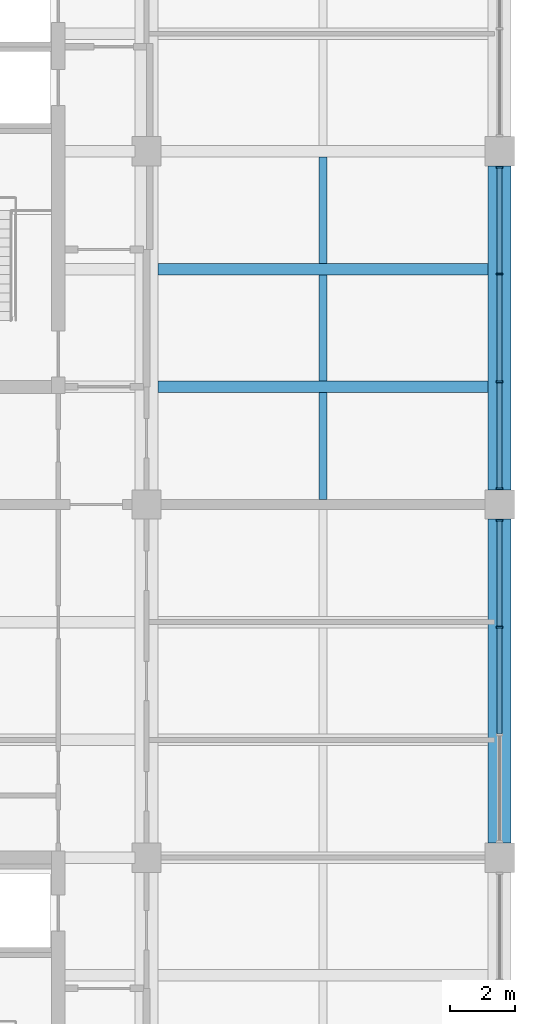
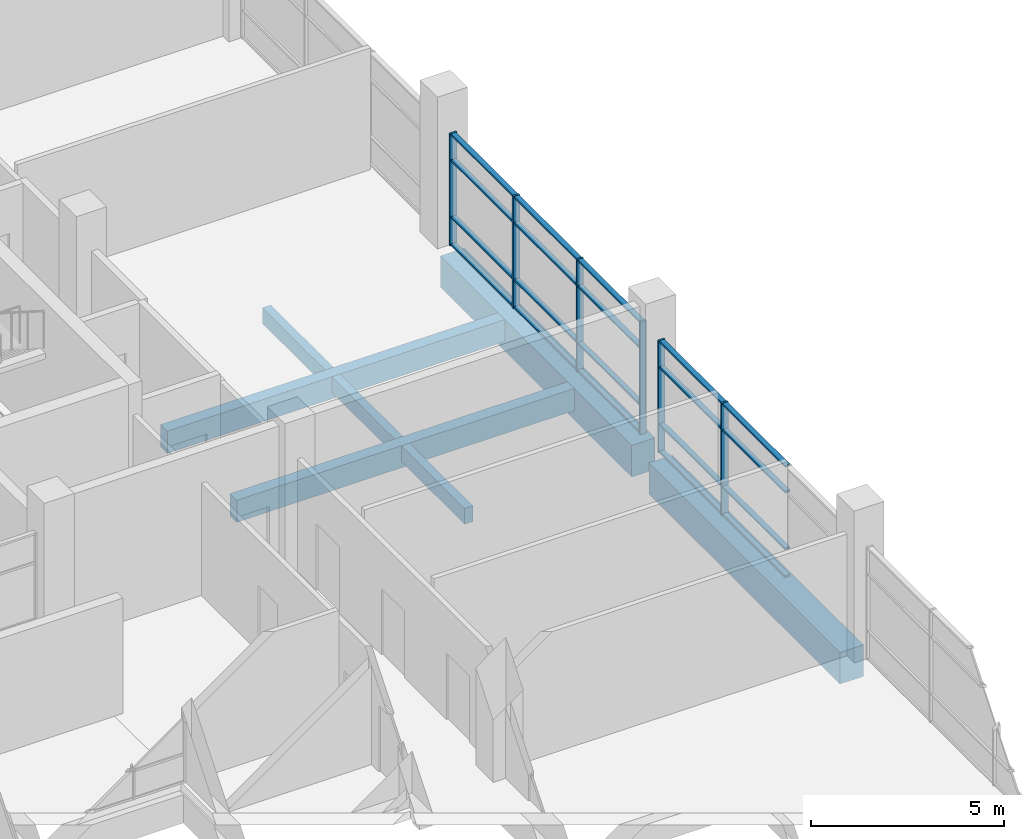
# One storey, part 4 of 15: 26 members, 7 beams, 2 elements without a shape of their own.
"""IFC4 building model written with IfcOpenShell, lengths in metres."""

from ifc_helpers import new_model, si_unit, direction, frame, origin, origin_2d, place, context, subcontext, project, spatial, rectangle, extrude, material, layer, layer_set, material_profile, profile_set, type_object, element, aggregate, save


model = new_model("IFC4")

# Units and contexts
model_context = context("Model", 3, precision=1e-05, world=origin(), true_north=direction((0.0, 1.0)))
body_context = subcontext(model_context, "Body", "Model", "MODEL_VIEW")
ifc_project = project(units=[si_unit("LENGTHUNIT", "METRE"), si_unit("AREAUNIT", "SQUARE_METRE"), si_unit("VOLUMEUNIT", "CUBIC_METRE"), si_unit("PLANEANGLEUNIT", "RADIAN"), si_unit("MASSUNIT", "GRAM", prefix="KILO")], contexts=[model_context])

# Site, building, storey
site_placement = place(None, origin())
site = spatial("IfcSite", under=ifc_project, at=site_placement, CompositionType="ELEMENT")
building_placement = place(site_placement, origin())
building = spatial("IfcBuilding", under=site, at=building_placement, Name="Basin Gate Institute", CompositionType="ELEMENT")
storey_placement = place(building_placement, frame((0.0, 0.0, 55.800048828125)))
storey = spatial("IfcBuildingStorey", under=building, at=storey_placement, Name="L11", CompositionType="ELEMENT", Elevation=55.800048828125)

# Beams
ifc_material_1 = material(Name="Concrete 40 MPa", Category="concrete")
ifc_material_profile_1 = material_profile(ifc_material_1, rectangle(XDim=0.35009765625, YDim=0.699951171875, at=origin_2d()), Name="Beam B1 350 x 700")
ifc_profile_set_1 = profile_set([ifc_material_profile_1], Name="Concrete 40 MPa")
beam_type_1 = type_object("IfcBeamType", Name="Beam B1 R120", PredefinedType="BEAM", material=ifc_profile_set_1)
for number, where, z_axis, x_axis, name in (
    (1, (68.75, 60.300048828125, -0.60009765625), (1.0, 0.0, 0.0), (0.0, 1.0, 0.0), "BEAM/L11/W/EW/08"),
    (2, (68.75, 63.89990234375, -0.60009765625), (1.0, 0.0, 0.0), (0.0, 1.0, 0.0), "BEAM/L11/W/EW/09"),
):
    element("IfcBeam", number, at=place(storey_placement, frame(where, z_axis=z_axis, x_axis=x_axis)), inside=storey, type_object=beam_type_1, material=ifc_profile_set_1, Name=name, PredefinedType="BEAM", context=body_context, shape_type="SweptSolid", body=[
        extrude(rectangle(XDim=0.35009765625, YDim=0.699951171875, at=origin_2d()), origin(), (0.0, 0.0, 1.0), 10.10009765625),
    ])
ifc_material_2 = material(Name="Concrete 50 MPa", Category="concrete")
ifc_material_profile_2 = material_profile(ifc_material_2, rectangle(XDim=0.699951171875, YDim=1.0, at=origin_2d()), Name="Girder G1 700 x 1000")
ifc_profile_set_2 = profile_set([ifc_material_profile_2], Name="Concrete 50 MPa")
beam_type_2 = type_object("IfcBeamType", Name="Girder G1 R120", PredefinedType="BEAM", material=ifc_profile_set_2)
beam_1_placement = place(storey_placement, frame((79.199951171875, 46.35009765625, -0.75), z_axis=(0.0, 1.0, 0.0), x_axis=(-1.0, 0.0, 0.0)))
element("IfcBeam", 3, at=beam_1_placement, inside=storey, type_object=beam_type_2, material=ifc_profile_set_2, Name="GIR/L11/W6/2", PredefinedType="BEAM", context=body_context, shape_type="SweptSolid", body=[
    extrude(rectangle(XDim=0.699951171875, YDim=1.0, at=origin_2d()), origin(), (0.0, 0.0, 1.0), 9.89990234375),
])
beam_2_placement = place(storey_placement, frame((79.199951171875, 57.14990234375, -0.75), z_axis=(0.0, 1.0, 0.0), x_axis=(-1.0, 0.0, 0.0)))
element("IfcBeam", 4, at=beam_2_placement, inside=storey, type_object=beam_type_2, material=ifc_profile_set_2, Name="GIR/L11/W6/3", PredefinedType="BEAM", context=body_context, shape_type="SweptSolid", body=[
    extrude(rectangle(XDim=0.699951171875, YDim=1.0, at=origin_2d()), origin(), (0.0, 0.0, 1.0), 9.900146484375),
])

# Curtain wall, members
ifc_material_3 = material(Name="Aluminium-framed glazing", Category="aluminium")
ifc_layer = layer(ifc_material_3, 0.199951171875)
ifc_layer_set = layer_set([ifc_layer], Name="Atrium curtain wall CW2")
curtain_wall_type = type_object("IfcCurtainWallType", Name="Atrium curtain wall CW2", PredefinedType="NOTDEFINED", material=ifc_layer_set)
curtain_wall_1_placement = place(storey_placement, origin())
curtain_wall_1 = element("IfcCurtainWall", 5, at=curtain_wall_1_placement, inside=storey, type_object=curtain_wall_type, material=ifc_layer_set, Name="Atrium curtain wall W wing atrium bay 2 L11", PredefinedType="NOTDEFINED")
ifc_material_4 = material(Name="Aluminium", Category="aluminium")
ifc_material_profile_3 = material_profile(ifc_material_4, rectangle(XDim=0.199951171875, YDim=0.06005859375, at=origin_2d()), Name="Mullion MU2 200 x 60")
ifc_profile_set_3 = profile_set([ifc_material_profile_3], Name="Aluminium")
member_type_1 = type_object("IfcMemberType", Name="Mullion MU2", PredefinedType="MULLION", material=ifc_profile_set_3)
member_1_placement = place(storey_placement, frame((79.199951171875, 52.949951171875, 0.0), z_axis=(0.0, 0.0, 1.0), x_axis=(-1.0, 0.0, 0.0)))
member_1 = element("IfcMember", 6, at=member_1_placement, type_object=member_type_1, material=ifc_profile_set_3, Name="CW2 mullion 3", PredefinedType="MULLION", context=body_context, shape_type="SweptSolid", body=[
    extrude(rectangle(XDim=0.199951171875, YDim=0.06005859375, at=origin_2d()), origin(), (0.0, 0.0, 1.0), 3.550048828125),
])
member_2_placement = place(storey_placement, frame((79.199951171875, 56.219970703125, 0.0), z_axis=(0.0, 0.0, 1.0), x_axis=(-1.0, 0.0, 0.0)))
member_2 = element("IfcMember", 7, at=member_2_placement, type_object=member_type_1, material=ifc_profile_set_3, Name="CW2 mullion 4", PredefinedType="MULLION", context=body_context, shape_type="SweptSolid", body=[
    extrude(rectangle(XDim=0.199951171875, YDim=0.06005859375, at=origin_2d()), origin(), (0.0, 0.0, 1.0), 3.550048828125),
])

curtain_wall_2_placement = place(storey_placement, origin())
curtain_wall_2 = element("IfcCurtainWall", 8, at=curtain_wall_2_placement, inside=storey, type_object=curtain_wall_type, material=ifc_layer_set, Name="Atrium curtain wall W wing atrium bay 3 L11", PredefinedType="NOTDEFINED")
member_3_placement = place(storey_placement, frame((79.199951171875, 57.179931640625, 0.0), z_axis=(0.0, 0.0, 1.0), x_axis=(-1.0, 0.0, 0.0)))
member_3 = element("IfcMember", 9, at=member_3_placement, type_object=member_type_1, material=ifc_profile_set_3, Name="CW2 mullion 1", PredefinedType="MULLION", context=body_context, shape_type="SweptSolid", body=[
    extrude(rectangle(XDim=0.199951171875, YDim=0.06005859375, at=origin_2d()), origin(), (0.0, 0.0, 1.0), 3.550048828125),
])
member_4_placement = place(storey_placement, frame((79.199951171875, 60.449951171875, 0.0), z_axis=(0.0, 0.0, 1.0), x_axis=(-1.0, 0.0, 0.0)))
member_4 = element("IfcMember", 10, at=member_4_placement, type_object=member_type_1, material=ifc_profile_set_3, Name="CW2 mullion 2", PredefinedType="MULLION", context=body_context, shape_type="SweptSolid", body=[
    extrude(rectangle(XDim=0.199951171875, YDim=0.06005859375, at=origin_2d()), origin(), (0.0, 0.0, 1.0), 3.550048828125),
])
member_5_placement = place(storey_placement, frame((79.199951171875, 63.75, 0.0), z_axis=(0.0, 0.0, 1.0), x_axis=(-1.0, 0.0, 0.0)))
member_5 = element("IfcMember", 11, at=member_5_placement, type_object=member_type_1, material=ifc_profile_set_3, Name="CW2 mullion 3", PredefinedType="MULLION", context=body_context, shape_type="SweptSolid", body=[
    extrude(rectangle(XDim=0.199951171875, YDim=0.06005859375, at=origin_2d()), origin(), (0.0, 0.0, 1.0), 3.550048828125),
])
member_6_placement = place(storey_placement, frame((79.199951171875, 67.02001953125, 0.0), z_axis=(0.0, 0.0, 1.0), x_axis=(-1.0, 0.0, 0.0)))
member_6 = element("IfcMember", 12, at=member_6_placement, type_object=member_type_1, material=ifc_profile_set_3, Name="CW2 mullion 4", PredefinedType="MULLION", context=body_context, shape_type="SweptSolid", body=[
    extrude(rectangle(XDim=0.199951171875, YDim=0.06005859375, at=origin_2d()), origin(), (0.0, 0.0, 1.0), 3.550048828125),
])

# Beams
ifc_material_5 = material(Name="Concrete 40 MPa", Category="concrete")
ifc_material_profile_4 = material_profile(ifc_material_5, rectangle(XDim=0.25, YDim=0.5, at=origin_2d()), Name="Rib R1 250 x 500")
ifc_profile_set_4 = profile_set([ifc_material_profile_4], Name="Concrete 40 MPa")
beam_type_3 = type_object("IfcBeamType", Name="Rib R1 R120", PredefinedType="JOIST", material=ifc_profile_set_4)
beam_3_placement = place(storey_placement, frame((73.800048828125, 56.85009765625, -0.5), z_axis=(0.0, 1.0, 0.0), x_axis=(-1.0, 0.0, 0.0)))
element("IfcBeam", 13, at=beam_3_placement, inside=storey, type_object=beam_type_3, material=ifc_profile_set_4, Name="BEAM/L11/W/RIB/07", PredefinedType="JOIST", context=body_context, shape_type="SweptSolid", body=[
    extrude(rectangle(XDim=0.25, YDim=0.5, at=origin_2d()), origin(), (0.0, 0.0, 1.0), 3.27490234375),
])
for number, where, z_axis, x_axis, name in (
    (14, (73.800048828125, 60.47509765625, -0.5), (0.0, 1.0, 0.0), (-1.0, 0.0, 0.0), "BEAM/L11/W/RIB/08"),
    (15, (73.800048828125, 64.074951171875, -0.5), (0.0, 1.0, 0.0), (-1.0, 0.0, 0.0), "BEAM/L11/W/RIB/09"),
):
    element("IfcBeam", number, at=place(storey_placement, frame(where, z_axis=z_axis, x_axis=x_axis)), inside=storey, type_object=beam_type_3, material=ifc_profile_set_4, Name=name, PredefinedType="JOIST", context=body_context, shape_type="SweptSolid", body=[
        extrude(rectangle(XDim=0.25, YDim=0.5, at=origin_2d()), origin(), (0.0, 0.0, 1.0), 3.25),
    ])

# Member
ifc_material_6 = material(Name="Aluminium", Category="aluminium")
ifc_material_profile_5 = material_profile(ifc_material_6, rectangle(XDim=0.14990234375, YDim=0.06005859375, at=origin_2d()), Name="Transom TR2 150 x 60")
ifc_profile_set_5 = profile_set([ifc_material_profile_5], Name="Aluminium")
member_type_2 = type_object("IfcMemberType", Name="Transom TR2", PredefinedType="USERDEFINED", material=ifc_profile_set_5)
member_7_placement = place(storey_placement, frame((79.199951171875, 49.679931640625, 0.030029296875), z_axis=(0.0, 1.0, 0.0), x_axis=(-1.0, 0.0, 0.0)))
member_7 = element("IfcMember", 16, at=member_7_placement, type_object=member_type_2, material=ifc_profile_set_5, Name="CW2 transom 2.1", ObjectType="TRANSOM", PredefinedType="USERDEFINED", context=body_context, shape_type="SweptSolid", body=[
    extrude(rectangle(XDim=0.14990234375, YDim=0.06005859375, at=origin_2d()), origin(), (0.0, 0.0, 1.0), 3.239990234375),
])

member_8_placement = place(storey_placement, frame((79.199951171875, 49.679931640625, 0.89990234375), z_axis=(0.0, 1.0, 0.0), x_axis=(-1.0, 0.0, 0.0)))
member_8 = element("IfcMember", 17, at=member_8_placement, type_object=member_type_2, material=ifc_profile_set_5, Name="CW2 transom 2.2", ObjectType="TRANSOM", PredefinedType="USERDEFINED", context=body_context, shape_type="SweptSolid", body=[
    extrude(rectangle(XDim=0.14990234375, YDim=0.06005859375, at=origin_2d()), origin(), (0.0, 0.0, 1.0), 3.239990234375),
])

member_9_placement = place(storey_placement, frame((79.199951171875, 49.679931640625, 2.699951171875), z_axis=(0.0, 1.0, 0.0), x_axis=(-1.0, 0.0, 0.0)))
member_9 = element("IfcMember", 18, at=member_9_placement, type_object=member_type_2, material=ifc_profile_set_5, Name="CW2 transom 2.3", ObjectType="TRANSOM", PredefinedType="USERDEFINED", context=body_context, shape_type="SweptSolid", body=[
    extrude(rectangle(XDim=0.14990234375, YDim=0.06005859375, at=origin_2d()), origin(), (0.0, 0.0, 1.0), 3.239990234375),
])

member_10_placement = place(storey_placement, frame((79.199951171875, 49.679931640625, 3.52001953125), z_axis=(0.0, 1.0, 0.0), x_axis=(-1.0, 0.0, 0.0)))
member_10 = element("IfcMember", 19, at=member_10_placement, type_object=member_type_2, material=ifc_profile_set_5, Name="CW2 transom 2.4", ObjectType="TRANSOM", PredefinedType="USERDEFINED", context=body_context, shape_type="SweptSolid", body=[
    extrude(rectangle(XDim=0.14990234375, YDim=0.06005859375, at=origin_2d()), origin(), (0.0, 0.0, 1.0), 3.239990234375),
])

member_11_placement = place(storey_placement, frame((79.199951171875, 52.97998046875, 0.030029296875), z_axis=(0.0, 1.0, 0.0), x_axis=(-1.0, 0.0, 0.0)))
member_11 = element("IfcMember", 20, at=member_11_placement, type_object=member_type_2, material=ifc_profile_set_5, Name="CW2 transom 3.1", ObjectType="TRANSOM", PredefinedType="USERDEFINED", context=body_context, shape_type="SweptSolid", body=[
    extrude(rectangle(XDim=0.14990234375, YDim=0.06005859375, at=origin_2d()), origin(), (0.0, 0.0, 1.0), 3.2099609375),
])

member_12_placement = place(storey_placement, frame((79.199951171875, 52.97998046875, 0.89990234375), z_axis=(0.0, 1.0, 0.0), x_axis=(-1.0, 0.0, 0.0)))
member_12 = element("IfcMember", 21, at=member_12_placement, type_object=member_type_2, material=ifc_profile_set_5, Name="CW2 transom 3.2", ObjectType="TRANSOM", PredefinedType="USERDEFINED", context=body_context, shape_type="SweptSolid", body=[
    extrude(rectangle(XDim=0.14990234375, YDim=0.06005859375, at=origin_2d()), origin(), (0.0, 0.0, 1.0), 3.2099609375),
])

member_13_placement = place(storey_placement, frame((79.199951171875, 52.97998046875, 2.699951171875), z_axis=(0.0, 1.0, 0.0), x_axis=(-1.0, 0.0, 0.0)))
member_13 = element("IfcMember", 22, at=member_13_placement, type_object=member_type_2, material=ifc_profile_set_5, Name="CW2 transom 3.3", ObjectType="TRANSOM", PredefinedType="USERDEFINED", context=body_context, shape_type="SweptSolid", body=[
    extrude(rectangle(XDim=0.14990234375, YDim=0.06005859375, at=origin_2d()), origin(), (0.0, 0.0, 1.0), 3.2099609375),
])

member_14_placement = place(storey_placement, frame((79.199951171875, 52.97998046875, 3.52001953125), z_axis=(0.0, 1.0, 0.0), x_axis=(-1.0, 0.0, 0.0)))
member_14 = element("IfcMember", 23, at=member_14_placement, type_object=member_type_2, material=ifc_profile_set_5, Name="CW2 transom 3.4", ObjectType="TRANSOM", PredefinedType="USERDEFINED", context=body_context, shape_type="SweptSolid", body=[
    extrude(rectangle(XDim=0.14990234375, YDim=0.06005859375, at=origin_2d()), origin(), (0.0, 0.0, 1.0), 3.2099609375),
])

aggregate(curtain_wall_1, [member_1, member_2, member_7, member_8, member_9, member_10, member_11, member_12, member_13, member_14])

member_15_placement = place(storey_placement, frame((79.199951171875, 57.2099609375, 0.030029296875), z_axis=(0.0, 1.0, 0.0), x_axis=(-1.0, 0.0, 0.0)))
member_15 = element("IfcMember", 24, at=member_15_placement, type_object=member_type_2, material=ifc_profile_set_5, Name="CW2 transom 1.1", ObjectType="TRANSOM", PredefinedType="USERDEFINED", context=body_context, shape_type="SweptSolid", body=[
    extrude(rectangle(XDim=0.14990234375, YDim=0.06005859375, at=origin_2d()), origin(), (0.0, 0.0, 1.0), 3.2099609375),
])

member_16_placement = place(storey_placement, frame((79.199951171875, 57.2099609375, 0.89990234375), z_axis=(0.0, 1.0, 0.0), x_axis=(-1.0, 0.0, 0.0)))
member_16 = element("IfcMember", 25, at=member_16_placement, type_object=member_type_2, material=ifc_profile_set_5, Name="CW2 transom 1.2", ObjectType="TRANSOM", PredefinedType="USERDEFINED", context=body_context, shape_type="SweptSolid", body=[
    extrude(rectangle(XDim=0.14990234375, YDim=0.06005859375, at=origin_2d()), origin(), (0.0, 0.0, 1.0), 3.2099609375),
])

member_17_placement = place(storey_placement, frame((79.199951171875, 57.2099609375, 2.699951171875), z_axis=(0.0, 1.0, 0.0), x_axis=(-1.0, 0.0, 0.0)))
member_17 = element("IfcMember", 26, at=member_17_placement, type_object=member_type_2, material=ifc_profile_set_5, Name="CW2 transom 1.3", ObjectType="TRANSOM", PredefinedType="USERDEFINED", context=body_context, shape_type="SweptSolid", body=[
    extrude(rectangle(XDim=0.14990234375, YDim=0.06005859375, at=origin_2d()), origin(), (0.0, 0.0, 1.0), 3.2099609375),
])

member_18_placement = place(storey_placement, frame((79.199951171875, 57.2099609375, 3.52001953125), z_axis=(0.0, 1.0, 0.0), x_axis=(-1.0, 0.0, 0.0)))
member_18 = element("IfcMember", 27, at=member_18_placement, type_object=member_type_2, material=ifc_profile_set_5, Name="CW2 transom 1.4", ObjectType="TRANSOM", PredefinedType="USERDEFINED", context=body_context, shape_type="SweptSolid", body=[
    extrude(rectangle(XDim=0.14990234375, YDim=0.06005859375, at=origin_2d()), origin(), (0.0, 0.0, 1.0), 3.2099609375),
])

member_19_placement = place(storey_placement, frame((79.199951171875, 60.47998046875, 0.030029296875), z_axis=(0.0, 1.0, 0.0), x_axis=(-1.0, 0.0, 0.0)))
member_19 = element("IfcMember", 28, at=member_19_placement, type_object=member_type_2, material=ifc_profile_set_5, Name="CW2 transom 2.1", ObjectType="TRANSOM", PredefinedType="USERDEFINED", context=body_context, shape_type="SweptSolid", body=[
    extrude(rectangle(XDim=0.14990234375, YDim=0.06005859375, at=origin_2d()), origin(), (0.0, 0.0, 1.0), 3.239990234375),
])

member_20_placement = place(storey_placement, frame((79.199951171875, 60.47998046875, 0.89990234375), z_axis=(0.0, 1.0, 0.0), x_axis=(-1.0, 0.0, 0.0)))
member_20 = element("IfcMember", 29, at=member_20_placement, type_object=member_type_2, material=ifc_profile_set_5, Name="CW2 transom 2.2", ObjectType="TRANSOM", PredefinedType="USERDEFINED", context=body_context, shape_type="SweptSolid", body=[
    extrude(rectangle(XDim=0.14990234375, YDim=0.06005859375, at=origin_2d()), origin(), (0.0, 0.0, 1.0), 3.239990234375),
])

member_21_placement = place(storey_placement, frame((79.199951171875, 60.47998046875, 2.699951171875), z_axis=(0.0, 1.0, 0.0), x_axis=(-1.0, 0.0, 0.0)))
member_21 = element("IfcMember", 30, at=member_21_placement, type_object=member_type_2, material=ifc_profile_set_5, Name="CW2 transom 2.3", ObjectType="TRANSOM", PredefinedType="USERDEFINED", context=body_context, shape_type="SweptSolid", body=[
    extrude(rectangle(XDim=0.14990234375, YDim=0.06005859375, at=origin_2d()), origin(), (0.0, 0.0, 1.0), 3.239990234375),
])

member_22_placement = place(storey_placement, frame((79.199951171875, 60.47998046875, 3.52001953125), z_axis=(0.0, 1.0, 0.0), x_axis=(-1.0, 0.0, 0.0)))
member_22 = element("IfcMember", 31, at=member_22_placement, type_object=member_type_2, material=ifc_profile_set_5, Name="CW2 transom 2.4", ObjectType="TRANSOM", PredefinedType="USERDEFINED", context=body_context, shape_type="SweptSolid", body=[
    extrude(rectangle(XDim=0.14990234375, YDim=0.06005859375, at=origin_2d()), origin(), (0.0, 0.0, 1.0), 3.239990234375),
])

member_23_placement = place(storey_placement, frame((79.199951171875, 63.780029296875, 0.030029296875), z_axis=(0.0, 1.0, 0.0), x_axis=(-1.0, 0.0, 0.0)))
member_23 = element("IfcMember", 32, at=member_23_placement, type_object=member_type_2, material=ifc_profile_set_5, Name="CW2 transom 3.1", ObjectType="TRANSOM", PredefinedType="USERDEFINED", context=body_context, shape_type="SweptSolid", body=[
    extrude(rectangle(XDim=0.14990234375, YDim=0.06005859375, at=origin_2d()), origin(), (0.0, 0.0, 1.0), 3.2099609375),
])

member_24_placement = place(storey_placement, frame((79.199951171875, 63.780029296875, 0.89990234375), z_axis=(0.0, 1.0, 0.0), x_axis=(-1.0, 0.0, 0.0)))
member_24 = element("IfcMember", 33, at=member_24_placement, type_object=member_type_2, material=ifc_profile_set_5, Name="CW2 transom 3.2", ObjectType="TRANSOM", PredefinedType="USERDEFINED", context=body_context, shape_type="SweptSolid", body=[
    extrude(rectangle(XDim=0.14990234375, YDim=0.06005859375, at=origin_2d()), origin(), (0.0, 0.0, 1.0), 3.2099609375),
])

member_25_placement = place(storey_placement, frame((79.199951171875, 63.780029296875, 2.699951171875), z_axis=(0.0, 1.0, 0.0), x_axis=(-1.0, 0.0, 0.0)))
member_25 = element("IfcMember", 34, at=member_25_placement, type_object=member_type_2, material=ifc_profile_set_5, Name="CW2 transom 3.3", ObjectType="TRANSOM", PredefinedType="USERDEFINED", context=body_context, shape_type="SweptSolid", body=[
    extrude(rectangle(XDim=0.14990234375, YDim=0.06005859375, at=origin_2d()), origin(), (0.0, 0.0, 1.0), 3.2099609375),
])

member_26_placement = place(storey_placement, frame((79.199951171875, 63.780029296875, 3.52001953125), z_axis=(0.0, 1.0, 0.0), x_axis=(-1.0, 0.0, 0.0)))
member_26 = element("IfcMember", 35, at=member_26_placement, type_object=member_type_2, material=ifc_profile_set_5, Name="CW2 transom 3.4", ObjectType="TRANSOM", PredefinedType="USERDEFINED", context=body_context, shape_type="SweptSolid", body=[
    extrude(rectangle(XDim=0.14990234375, YDim=0.06005859375, at=origin_2d()), origin(), (0.0, 0.0, 1.0), 3.2099609375),
])

aggregate(curtain_wall_2, [member_3, member_4, member_5, member_6, member_15, member_16, member_17, member_18, member_19, member_20, member_21, member_22, member_23, member_24, member_25, member_26])

save(model, "model.ifc")
